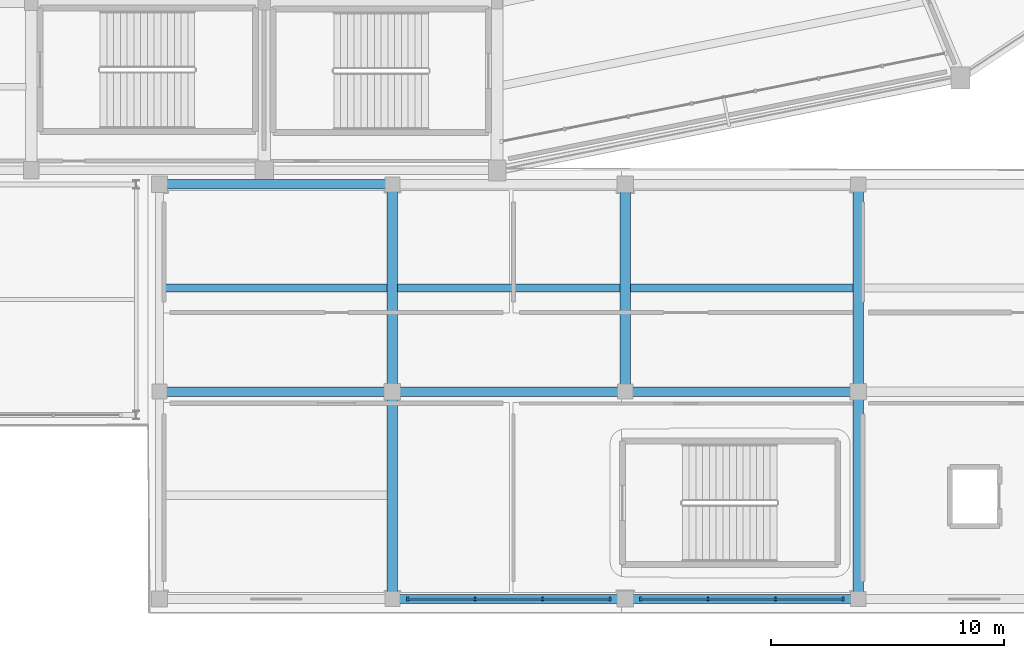
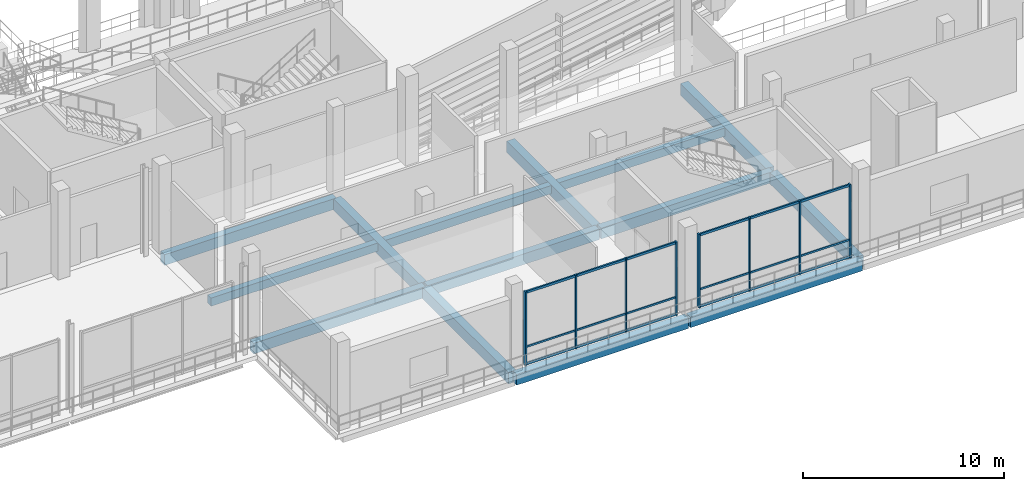
# One storey, part 33 of 127: 14 beams, 14 members, 2 elements without a shape of their own.
"""IFC4 building model written with IfcOpenShell, lengths in metres."""

from ifc_helpers import new_model, si_unit, direction, frame, origin, origin_2d, place, context, subcontext, project, spatial, rectangle, extrude, material, material_profile, profile_set, type_object, element, aggregate, save


model = new_model("IFC4")

# Units and contexts
model_context = context("Model", 3, precision=1e-05, world=origin(), true_north=direction((0.0, 1.0)))
body_context = subcontext(model_context, "Body", "Model", "MODEL_VIEW")
ifc_project = project(units=[si_unit("LENGTHUNIT", "METRE"), si_unit("AREAUNIT", "SQUARE_METRE"), si_unit("VOLUMEUNIT", "CUBIC_METRE"), si_unit("PLANEANGLEUNIT", "RADIAN"), si_unit("MASSUNIT", "GRAM", prefix="KILO")], contexts=[model_context])

# Site, building, storey
site_placement = place(None, origin())
site = spatial("IfcSite", under=ifc_project, at=site_placement, CompositionType="ELEMENT")
building_placement = place(site_placement, origin())
building = spatial("IfcBuilding", under=site, at=building_placement, Name="Candeia Ridge Stadium", CompositionType="ELEMENT")
storey_placement = place(building_placement, frame((0.0, 0.0, 10.800048828125)))
storey = spatial("IfcBuildingStorey", under=building, at=storey_placement, Name="L02", CompositionType="ELEMENT", Elevation=10.800048828125)

# Curtain wall, members
ifc_material_1 = material(Name="Aluminium Anodized Warm Bronze", Category="aluminium")
curtain_wall_type = type_object("IfcCurtainWallType", Name="Museum & Boulevard Showcase Curtain Wall", PredefinedType="NOTDEFINED", material=ifc_material_1)
curtain_wall_1_placement = place(storey_placement, origin())
curtain_wall_1 = element("IfcCurtainWall", 1, at=curtain_wall_1_placement, inside=storey, type_object=curtain_wall_type, Name="Unitised curtain wall CW-WNG-L02-124", PredefinedType="NOTDEFINED")
ifc_material_profile_1 = material_profile(ifc_material_1, rectangle(XDim=0.090087890625, YDim=0.179931640625, at=origin_2d()), Name="CWM-90x180", Category="aluminium")
ifc_profile_set_1 = profile_set([ifc_material_profile_1], Name="Aluminium Anodized Warm Bronze")
member_type_1 = type_object("IfcMemberType", Name="Curtain Wall Primary Mullion 90x180", PredefinedType="MULLION", material=ifc_profile_set_1)
member_1_placement = place(storey_placement, frame((137.159912109375, 0.60009765625, 0.0), z_axis=(0.0, 0.0, 1.0), x_axis=(1.0, 0.0, 0.0)))
member_1 = element("IfcMember", 2, at=member_1_placement, type_object=member_type_1, Name="Curtain wall mullion CW-WNG-L02-124-M0", PredefinedType="MULLION", context=body_context, shape_type="SweptSolid", body=[
    extrude(rectangle(XDim=0.090087890625, YDim=0.179931640625, at=origin_2d()), origin(), (0.0, 0.0, 1.0), 4.48486328125),
])
member_2_placement = place(storey_placement, frame((145.840087890625, 0.60009765625, 0.0), z_axis=(0.0, 0.0, 1.0), x_axis=(1.0, 0.0, 0.0)))
member_2 = element("IfcMember", 3, at=member_2_placement, type_object=member_type_1, Name="Curtain wall mullion CW-WNG-L02-124-M3", PredefinedType="MULLION", context=body_context, shape_type="SweptSolid", body=[
    extrude(rectangle(XDim=0.090087890625, YDim=0.179931640625, at=origin_2d()), origin(), (0.0, 0.0, 1.0), 4.48486328125),
])

curtain_wall_2_placement = place(storey_placement, origin())
curtain_wall_2 = element("IfcCurtainWall", 4, at=curtain_wall_2_placement, inside=storey, type_object=curtain_wall_type, Name="Unitised curtain wall CW-WNG-L02-125", PredefinedType="NOTDEFINED")
member_3_placement = place(storey_placement, frame((147.159912109375, 0.60009765625, 0.0), z_axis=(0.0, 0.0, 1.0), x_axis=(1.0, 0.0, 0.0)))
member_3 = element("IfcMember", 5, at=member_3_placement, type_object=member_type_1, Name="Curtain wall mullion CW-WNG-L02-125-M0", PredefinedType="MULLION", context=body_context, shape_type="SweptSolid", body=[
    extrude(rectangle(XDim=0.090087890625, YDim=0.179931640625, at=origin_2d()), origin(), (0.0, 0.0, 1.0), 4.48486328125),
])
member_4_placement = place(storey_placement, frame((155.840087890625, 0.60009765625, 0.0), z_axis=(0.0, 0.0, 1.0), x_axis=(1.0, 0.0, 0.0)))
member_4 = element("IfcMember", 6, at=member_4_placement, type_object=member_type_1, Name="Curtain wall mullion CW-WNG-L02-125-M3", PredefinedType="MULLION", context=body_context, shape_type="SweptSolid", body=[
    extrude(rectangle(XDim=0.090087890625, YDim=0.179931640625, at=origin_2d()), origin(), (0.0, 0.0, 1.0), 4.48486328125),
])

# Member
ifc_material_profile_2 = material_profile(ifc_material_1, rectangle(XDim=0.074951171875, YDim=0.14990234375, at=origin_2d()), Name="CWM-75x150", Category="aluminium")
ifc_profile_set_2 = profile_set([ifc_material_profile_2], Name="Aluminium Anodized Warm Bronze")
member_type_2 = type_object("IfcMemberType", Name="Curtain Wall Secondary Mullion 75x150", PredefinedType="MULLION", material=ifc_profile_set_2)
member_5_placement = place(storey_placement, frame((140.05322265625, 0.60009765625, 0.0), z_axis=(0.0, 0.0, 1.0), x_axis=(1.0, 0.0, 0.0)))
member_5 = element("IfcMember", 7, at=member_5_placement, type_object=member_type_2, Name="Curtain wall mullion CW-WNG-L02-124-M1", PredefinedType="MULLION", context=body_context, shape_type="SweptSolid", body=[
    extrude(rectangle(XDim=0.074951171875, YDim=0.14990234375, at=origin_2d()), origin(), (0.0, 0.0, 1.0), 4.48486328125),
])

member_6_placement = place(storey_placement, frame((142.94677734375, 0.60009765625, 0.0), z_axis=(0.0, 0.0, 1.0), x_axis=(1.0, 0.0, 0.0)))
member_6 = element("IfcMember", 8, at=member_6_placement, type_object=member_type_2, Name="Curtain wall mullion CW-WNG-L02-124-M2", PredefinedType="MULLION", context=body_context, shape_type="SweptSolid", body=[
    extrude(rectangle(XDim=0.074951171875, YDim=0.14990234375, at=origin_2d()), origin(), (0.0, 0.0, 1.0), 4.48486328125),
])

member_7_placement = place(storey_placement, frame((150.05322265625, 0.60009765625, 0.0), z_axis=(0.0, 0.0, 1.0), x_axis=(1.0, 0.0, 0.0)))
member_7 = element("IfcMember", 9, at=member_7_placement, type_object=member_type_2, Name="Curtain wall mullion CW-WNG-L02-125-M1", PredefinedType="MULLION", context=body_context, shape_type="SweptSolid", body=[
    extrude(rectangle(XDim=0.074951171875, YDim=0.14990234375, at=origin_2d()), origin(), (0.0, 0.0, 1.0), 4.48486328125),
])

member_8_placement = place(storey_placement, frame((152.94677734375, 0.60009765625, 0.0), z_axis=(0.0, 0.0, 1.0), x_axis=(1.0, 0.0, 0.0)))
member_8 = element("IfcMember", 10, at=member_8_placement, type_object=member_type_2, Name="Curtain wall mullion CW-WNG-L02-125-M2", PredefinedType="MULLION", context=body_context, shape_type="SweptSolid", body=[
    extrude(rectangle(XDim=0.074951171875, YDim=0.14990234375, at=origin_2d()), origin(), (0.0, 0.0, 1.0), 4.48486328125),
])

ifc_material_profile_3 = material_profile(ifc_material_1, rectangle(XDim=0.074951171875, YDim=0.110107421875, at=origin_2d()), Name="CWT-75x110", Category="aluminium")
ifc_profile_set_3 = profile_set([ifc_material_profile_3], Name="Aluminium Anodized Warm Bronze")
member_type_3 = type_object("IfcMemberType", Name="Curtain Wall Secondary Transom 75x110", PredefinedType="USERDEFINED", material=ifc_profile_set_3)
member_9_placement = place(storey_placement, frame((137.159912109375, 0.60009765625, 1.099853515625), z_axis=(1.0, 0.0, 0.0), x_axis=(0.0, 1.0, 0.0)))
member_9 = element("IfcMember", 11, at=member_9_placement, type_object=member_type_3, Name="Curtain wall transom CW-WNG-L02-124-T1", ObjectType="TRANSOM", PredefinedType="USERDEFINED", context=body_context, shape_type="SweptSolid", body=[
    extrude(rectangle(XDim=0.074951171875, YDim=0.110107421875, at=origin_2d()), origin(), (0.0, 0.0, 1.0), 8.68017578125),
])

member_10_placement = place(storey_placement, frame((147.159912109375, 0.60009765625, 1.099853515625), z_axis=(1.0, 0.0, 0.0), x_axis=(0.0, 1.0, 0.0)))
member_10 = element("IfcMember", 12, at=member_10_placement, type_object=member_type_3, Name="Curtain wall transom CW-WNG-L02-125-T1", ObjectType="TRANSOM", PredefinedType="USERDEFINED", context=body_context, shape_type="SweptSolid", body=[
    extrude(rectangle(XDim=0.074951171875, YDim=0.110107421875, at=origin_2d()), origin(), (0.0, 0.0, 1.0), 8.68017578125),
])

ifc_material_profile_4 = material_profile(ifc_material_1, rectangle(XDim=0.090087890625, YDim=0.139892578125, at=origin_2d()), Name="CWT-90x140", Category="aluminium")
ifc_profile_set_4 = profile_set([ifc_material_profile_4], Name="Aluminium Anodized Warm Bronze")
member_type_4 = type_object("IfcMemberType", Name="Curtain Wall Transom 90x140", PredefinedType="USERDEFINED", material=ifc_profile_set_4)
member_11_placement = place(storey_placement, frame((137.159912109375, 0.60009765625, 0.070068359375), z_axis=(1.0, 0.0, 0.0), x_axis=(0.0, 1.0, 0.0)))
member_11 = element("IfcMember", 13, at=member_11_placement, type_object=member_type_4, Name="Curtain wall transom CW-WNG-L02-124-T0", ObjectType="TRANSOM", PredefinedType="USERDEFINED", context=body_context, shape_type="SweptSolid", body=[
    extrude(rectangle(XDim=0.090087890625, YDim=0.139892578125, at=origin_2d()), origin(), (0.0, 0.0, 1.0), 8.68017578125),
])

member_12_placement = place(storey_placement, frame((137.159912109375, 0.60009765625, 4.4150390625), z_axis=(1.0, 0.0, 0.0), x_axis=(0.0, 1.0, 0.0)))
member_12 = element("IfcMember", 14, at=member_12_placement, type_object=member_type_4, Name="Curtain wall transom CW-WNG-L02-124-T2", ObjectType="TRANSOM", PredefinedType="USERDEFINED", context=body_context, shape_type="SweptSolid", body=[
    extrude(rectangle(XDim=0.090087890625, YDim=0.139892578125, at=origin_2d()), origin(), (0.0, 0.0, 1.0), 8.68017578125),
])

aggregate(curtain_wall_1, [member_1, member_5, member_6, member_2, member_11, member_9, member_12])

member_13_placement = place(storey_placement, frame((147.159912109375, 0.60009765625, 0.070068359375), z_axis=(1.0, 0.0, 0.0), x_axis=(0.0, 1.0, 0.0)))
member_13 = element("IfcMember", 15, at=member_13_placement, type_object=member_type_4, Name="Curtain wall transom CW-WNG-L02-125-T0", ObjectType="TRANSOM", PredefinedType="USERDEFINED", context=body_context, shape_type="SweptSolid", body=[
    extrude(rectangle(XDim=0.090087890625, YDim=0.139892578125, at=origin_2d()), origin(), (0.0, 0.0, 1.0), 8.68017578125),
])

member_14_placement = place(storey_placement, frame((147.159912109375, 0.60009765625, 4.4150390625), z_axis=(1.0, 0.0, 0.0), x_axis=(0.0, 1.0, 0.0)))
member_14 = element("IfcMember", 16, at=member_14_placement, type_object=member_type_4, Name="Curtain wall transom CW-WNG-L02-125-T2", ObjectType="TRANSOM", PredefinedType="USERDEFINED", context=body_context, shape_type="SweptSolid", body=[
    extrude(rectangle(XDim=0.090087890625, YDim=0.139892578125, at=origin_2d()), origin(), (0.0, 0.0, 1.0), 8.68017578125),
])

aggregate(curtain_wall_2, [member_3, member_7, member_8, member_4, member_13, member_10, member_14])

# Beams
ifc_material_2 = material(Name="Concrete C40/50", Category="concrete")
ifc_material_profile_5 = material_profile(ifc_material_2, rectangle(XDim=0.35009765625, YDim=0.5, at=origin_2d()), Name="RC350x500", Category="concrete")
ifc_profile_set_5 = profile_set([ifc_material_profile_5], Name="Concrete C40/50")
beam_type_1 = type_object("IfcBeamType", Name="Floor Joist RC350x500", PredefinedType="JOIST", material=ifc_profile_set_5)
beam_placement = place(storey_placement, frame((126.674560546875, 13.949951171875, -0.510009765625), z_axis=(1.0, 0.0, 0.0), x_axis=(0.0, 1.0, 0.0)))
element("IfcBeam", 17, at=beam_placement, inside=storey, type_object=beam_type_1, Name="Wing secondary joist BM-L02-2164", PredefinedType="JOIST", context=body_context, shape_type="SweptSolid", body=[
    extrude(rectangle(XDim=0.35009765625, YDim=0.5, at=origin_2d()), origin(), (0.0, 0.0, 1.0), 9.600830078125),
])
for number, where, z_axis, x_axis, name in (
    (18, (136.724609375, 13.949951171875, -0.510009765625), (1.0, 0.0, 0.0), (0.0, 1.0, 0.0), "Wing secondary joist BM-L02-2168"),
    (19, (146.724609375, 13.949951171875, -0.510009765625), (1.0, 0.0, 0.0), (0.0, 1.0, 0.0), "Wing secondary joist BM-L02-2172"),
):
    element("IfcBeam", number, at=place(storey_placement, frame(where, z_axis=z_axis, x_axis=x_axis)), inside=storey, type_object=beam_type_1, Name=name, PredefinedType="JOIST", context=body_context, shape_type="SweptSolid", body=[
        extrude(rectangle(XDim=0.35009765625, YDim=0.5, at=origin_2d()), origin(), (0.0, 0.0, 1.0), 9.55078125),
    ])
ifc_material_profile_6 = material_profile(ifc_material_2, rectangle(XDim=0.449951171875, YDim=0.699951171875, at=origin_2d()), Name="RC450x700", Category="concrete")
ifc_profile_set_6 = profile_set([ifc_material_profile_6], Name="Concrete C40/50")
beam_type_2 = type_object("IfcBeamType", Name="Frame Girder RC450x700", PredefinedType="BEAM", material=ifc_profile_set_6)
for number, where, z_axis, x_axis, name in (
    (20, (136.5, 0.760009765625, -0.610107421875), (0.0, 1.0, 0.0), (-1.0, 0.0, 0.0), "Structural girder BM-L02-2150"),
    (21, (136.5, 9.659912109375, -0.610107421875), (0.0, 1.0, 0.0), (-1.0, 0.0, 0.0), "Structural girder BM-L02-2151"),
    (22, (146.5, 9.659912109375, -0.610107421875), (0.0, 1.0, 0.0), (-1.0, 0.0, 0.0), "Structural girder BM-L02-2152"),
    (23, (156.5, 0.760009765625, -0.610107421875), (0.0, 1.0, 0.0), (-1.0, 0.0, 0.0), "Structural girder BM-L02-2153"),
    (24, (156.5, 9.659912109375, -0.610107421875), (0.0, 1.0, 0.0), (-1.0, 0.0, 0.0), "Structural girder BM-L02-2154"),
):
    element("IfcBeam", number, at=place(storey_placement, frame(where, z_axis=z_axis, x_axis=x_axis)), inside=storey, type_object=beam_type_2, Name=name, PredefinedType="BEAM", context=body_context, shape_type="SweptSolid", body=[
        extrude(rectangle(XDim=0.449951171875, YDim=0.699951171875, at=origin_2d()), origin(), (0.0, 0.0, 1.0), 8.580078125),
    ])
ifc_material_profile_7 = material_profile(ifc_material_2, rectangle(XDim=0.39990234375, YDim=0.64990234375, at=origin_2d()), Name="RC400x650", Category="concrete")
ifc_profile_set_7 = profile_set([ifc_material_profile_7], Name="Concrete C40/50")
beam_type_3 = type_object("IfcBeamType", Name="Wing Primary Girder RC400x650", PredefinedType="BEAM", material=ifc_profile_set_7)
for number, where, z_axis, x_axis, name in (
    (25, (126.550048828125, 9.5, -0.5849609375), (1.0, 0.0, 0.0), (0.0, 1.0, 0.0), "Structural girder BM-L02-2163"),
    (26, (126.550048828125, 18.39990234375, -0.5849609375), (1.0, 0.0, 0.0), (0.0, 1.0, 0.0), "Structural girder BM-L02-2165"),
    (27, (136.550048828125, 0.60009765625, -0.5849609375), (1.0, 0.0, 0.0), (0.0, 1.0, 0.0), "Structural girder BM-L02-2166"),
    (28, (136.550048828125, 9.5, -0.5849609375), (1.0, 0.0, 0.0), (0.0, 1.0, 0.0), "Structural girder BM-L02-2167"),
    (29, (146.550048828125, 0.60009765625, -0.5849609375), (1.0, 0.0, 0.0), (0.0, 1.0, 0.0), "Structural girder BM-L02-2170"),
    (30, (146.550048828125, 9.5, -0.5849609375), (1.0, 0.0, 0.0), (0.0, 1.0, 0.0), "Structural girder BM-L02-2171"),
):
    element("IfcBeam", number, at=place(storey_placement, frame(where, z_axis=z_axis, x_axis=x_axis)), inside=storey, type_object=beam_type_3, Name=name, PredefinedType="BEAM", context=body_context, shape_type="SweptSolid", body=[
        extrude(rectangle(XDim=0.39990234375, YDim=0.64990234375, at=origin_2d()), origin(), (0.0, 0.0, 1.0), 9.89990234375),
    ])

save(model, "model.ifc")
